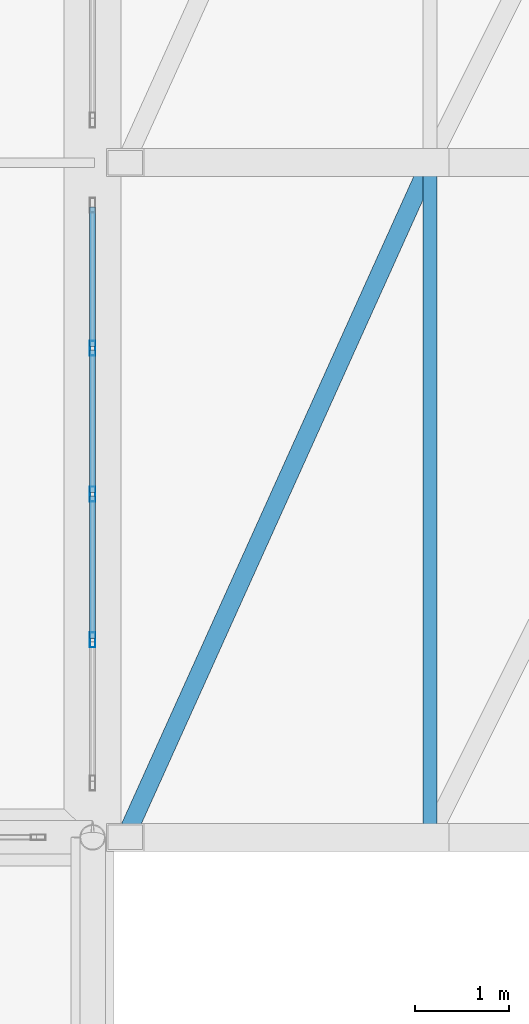
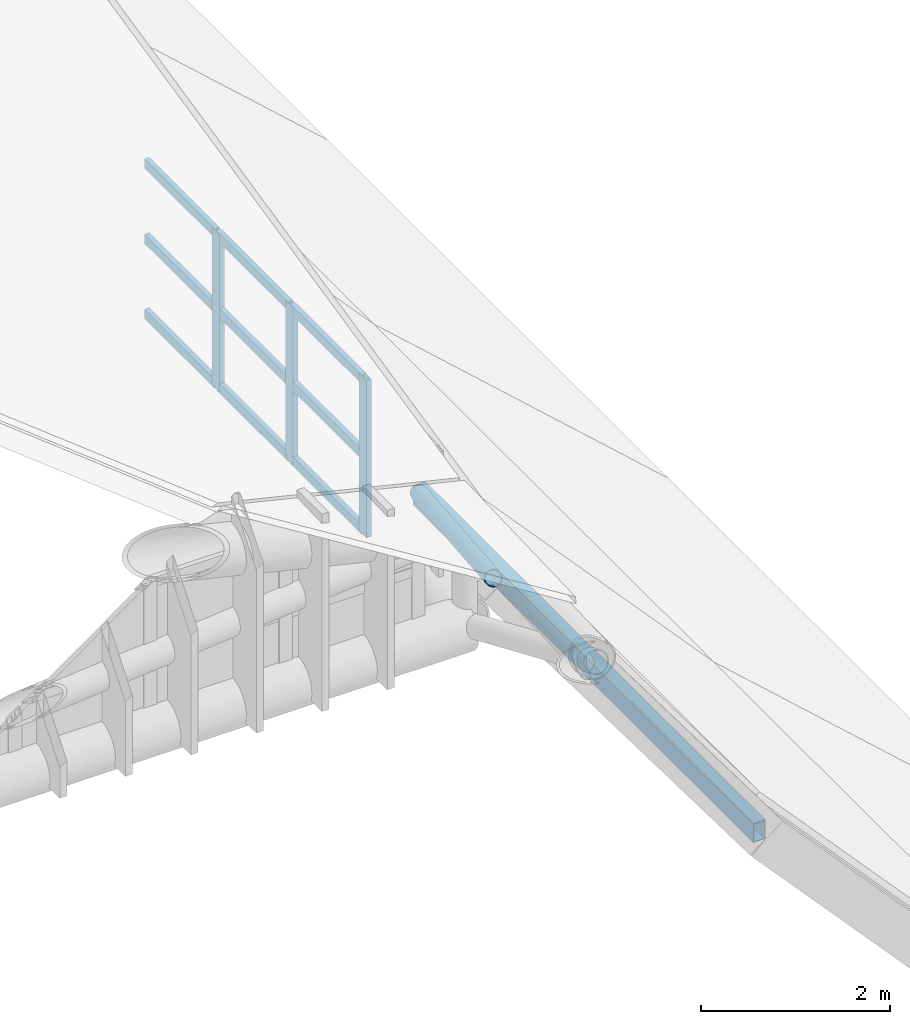
# One storey, part 126 of 397: 14 members, 1 element without a shape of its own.
"""IFC4 building model written with IfcOpenShell, lengths in metres."""

from ifc_helpers import new_model, si_unit, direction, frame, origin, origin_2d, place, context, subcontext, project, spatial, hollow_rectangle, hollow_circle, extrude, material, material_profile, profile_set, type_object, element, aggregate, save


model = new_model("IFC4")

# Units and contexts
model_context = context("Model", 3, precision=1e-05, world=origin(), true_north=direction((0.0, 1.0)))
body_context = subcontext(model_context, "Body", "Model", "MODEL_VIEW")
ifc_project = project(units=[si_unit("LENGTHUNIT", "METRE"), si_unit("AREAUNIT", "SQUARE_METRE"), si_unit("VOLUMEUNIT", "CUBIC_METRE"), si_unit("PLANEANGLEUNIT", "RADIAN"), si_unit("MASSUNIT", "GRAM", prefix="KILO")], contexts=[model_context])

# Site, building, storey
site_placement = place(None, origin())
site = spatial("IfcSite", under=ifc_project, at=site_placement, CompositionType="ELEMENT")
building_placement = place(site_placement, origin())
building = spatial("IfcBuilding", under=site, at=building_placement, Name="Qandorah Velis Arena", CompositionType="ELEMENT")
storey_placement = place(building_placement, frame((0.0, 0.0, 27.5)))
storey = spatial("IfcBuildingStorey", under=building, at=storey_placement, Name="RF", CompositionType="ELEMENT", Elevation=27.5)

# Curtain wall, members
ifc_material_1 = material(Name="Solar-control low-E double glazing", Category="glass")
curtain_wall_type = type_object("IfcCurtainWallType", Name="ARC-CW-SYS09", PredefinedType="USERDEFINED", material=ifc_material_1)
curtain_wall_placement = place(storey_placement, origin())
curtain_wall = element("IfcCurtainWall", 1, at=curtain_wall_placement, inside=storey, type_object=curtain_wall_type, Name="Unitised curtain wall CROWN-2-01S1", ObjectType="UNITISED CURTAIN WALL", PredefinedType="USERDEFINED")
ifc_material_2 = material(Name="Champagne-bronze anodized aluminium 6063-T6", Category="aluminium")
ifc_material_profile_1 = material_profile(ifc_material_2, hollow_rectangle(XDim=0.06005859375, YDim=0.159912109375, WallThickness=0.00341796875, at=origin_2d()), Name="ALU MULLION 60x160")
ifc_profile_set_1 = profile_set([ifc_material_profile_1], Name="Champagne-bronze anodized aluminium 6063-T6")
member_type_1 = type_object("IfcMemberType", Name="ARC-CWM-160", PredefinedType="MULLION", material=ifc_profile_set_1)
member_1_placement = place(storey_placement, frame((115.199951171875, 16.50634765625, -0.014892578125), z_axis=(0.0, 0.0, 1.0), x_axis=(-1.0, 0.0, 0.0)))
member_1 = element("IfcMember", 2, at=member_1_placement, type_object=member_type_1, Name="CW09 mullion 2", PredefinedType="MULLION", context=body_context, shape_type="SweptSolid", body=[
    extrude(hollow_rectangle(XDim=0.06005859375, YDim=0.159912109375, WallThickness=0.00341796875, at=origin_2d()), origin(), (0.0, 0.0, 1.0), 2.03271484375),
])
member_2_placement = place(storey_placement, frame((115.199951171875, 18.0625, -0.014892578125), z_axis=(0.0, 0.0, 1.0), x_axis=(-1.0, 0.0, 0.0)))
member_2 = element("IfcMember", 3, at=member_2_placement, type_object=member_type_1, Name="CW09 mullion 3", PredefinedType="MULLION", context=body_context, shape_type="SweptSolid", body=[
    extrude(hollow_rectangle(XDim=0.06005859375, YDim=0.159912109375, WallThickness=0.00341796875, at=origin_2d()), origin(), (0.0, 0.0, 1.0), 2.03271484375),
])
member_3_placement = place(storey_placement, frame((115.199951171875, 19.61865234375, -0.014892578125), z_axis=(0.0, 0.0, 1.0), x_axis=(-1.0, 0.0, 0.0)))
member_3 = element("IfcMember", 4, at=member_3_placement, type_object=member_type_1, Name="CW09 mullion 4", PredefinedType="MULLION", context=body_context, shape_type="SweptSolid", body=[
    extrude(hollow_rectangle(XDim=0.06005859375, YDim=0.159912109375, WallThickness=0.00341796875, at=origin_2d()), origin(), (0.0, 0.0, 1.0), 2.03271484375),
])
ifc_material_profile_2 = material_profile(ifc_material_2, hollow_rectangle(XDim=0.06005859375, YDim=0.1201171875, WallThickness=0.0029296875, at=origin_2d()), Name="ALU TRANSOM 60x120")
ifc_profile_set_2 = profile_set([ifc_material_profile_2], Name="Champagne-bronze anodized aluminium 6063-T6")
member_type_2 = type_object("IfcMemberType", Name="ARC-CWT-120", PredefinedType="USERDEFINED", material=ifc_profile_set_2)
member_4_placement = place(storey_placement, frame((115.199951171875, 16.524169921875, 0.030029296875), z_axis=(0.0, 1.0, 0.0), x_axis=(-1.0, 0.0, 0.0)))
member_4 = element("IfcMember", 5, at=member_4_placement, type_object=member_type_2, Name="CW09 transom 2.1", ObjectType="TRANSOM", PredefinedType="USERDEFINED", context=body_context, shape_type="SweptSolid", body=[
    extrude(hollow_rectangle(XDim=0.06005859375, YDim=0.1201171875, WallThickness=0.0029296875, at=origin_2d()), origin(), (0.0, 0.0, 1.0), 1.520263671875),
])
member_5_placement = place(storey_placement, frame((115.199951171875, 16.524169921875, 1.00146484375), z_axis=(0.0, 1.0, 0.0), x_axis=(-1.0, 0.0, 0.0)))
member_5 = element("IfcMember", 6, at=member_5_placement, type_object=member_type_2, Name="CW09 transom 2.2", ObjectType="TRANSOM", PredefinedType="USERDEFINED", context=body_context, shape_type="SweptSolid", body=[
    extrude(hollow_rectangle(XDim=0.06005859375, YDim=0.1201171875, WallThickness=0.0029296875, at=origin_2d()), origin(), (0.0, 0.0, 1.0), 1.520263671875),
])
member_6_placement = place(storey_placement, frame((115.199951171875, 16.524169921875, 1.972900390625), z_axis=(0.0, 1.0, 0.0), x_axis=(-1.0, 0.0, 0.0)))
member_6 = element("IfcMember", 7, at=member_6_placement, type_object=member_type_2, Name="CW09 transom 2.3", ObjectType="TRANSOM", PredefinedType="USERDEFINED", context=body_context, shape_type="SweptSolid", body=[
    extrude(hollow_rectangle(XDim=0.06005859375, YDim=0.1201171875, WallThickness=0.0029296875, at=origin_2d()), origin(), (0.0, 0.0, 1.0), 1.520263671875),
])
member_7_placement = place(storey_placement, frame((115.199951171875, 18.08056640625, 0.030029296875), z_axis=(0.0, 1.0, 0.0), x_axis=(-1.0, 0.0, 0.0)))
member_7 = element("IfcMember", 8, at=member_7_placement, type_object=member_type_2, Name="CW09 transom 3.1", ObjectType="TRANSOM", PredefinedType="USERDEFINED", context=body_context, shape_type="SweptSolid", body=[
    extrude(hollow_rectangle(XDim=0.06005859375, YDim=0.1201171875, WallThickness=0.0029296875, at=origin_2d()), origin(), (0.0, 0.0, 1.0), 1.520263671875),
])
member_8_placement = place(storey_placement, frame((115.199951171875, 18.08056640625, 1.00146484375), z_axis=(0.0, 1.0, 0.0), x_axis=(-1.0, 0.0, 0.0)))
member_8 = element("IfcMember", 9, at=member_8_placement, type_object=member_type_2, Name="CW09 transom 3.2", ObjectType="TRANSOM", PredefinedType="USERDEFINED", context=body_context, shape_type="SweptSolid", body=[
    extrude(hollow_rectangle(XDim=0.06005859375, YDim=0.1201171875, WallThickness=0.0029296875, at=origin_2d()), origin(), (0.0, 0.0, 1.0), 1.520263671875),
])
member_9_placement = place(storey_placement, frame((115.199951171875, 18.08056640625, 1.972900390625), z_axis=(0.0, 1.0, 0.0), x_axis=(-1.0, 0.0, 0.0)))
member_9 = element("IfcMember", 10, at=member_9_placement, type_object=member_type_2, Name="CW09 transom 3.3", ObjectType="TRANSOM", PredefinedType="USERDEFINED", context=body_context, shape_type="SweptSolid", body=[
    extrude(hollow_rectangle(XDim=0.06005859375, YDim=0.1201171875, WallThickness=0.0029296875, at=origin_2d()), origin(), (0.0, 0.0, 1.0), 1.520263671875),
])
member_10_placement = place(storey_placement, frame((115.199951171875, 19.63671875, 0.030029296875), z_axis=(0.0, 1.0, 0.0), x_axis=(-1.0, 0.0, 0.0)))
member_10 = element("IfcMember", 11, at=member_10_placement, type_object=member_type_2, Name="CW09 transom 4.1", ObjectType="TRANSOM", PredefinedType="USERDEFINED", context=body_context, shape_type="SweptSolid", body=[
    extrude(hollow_rectangle(XDim=0.06005859375, YDim=0.1201171875, WallThickness=0.0029296875, at=origin_2d()), origin(), (0.0, 0.0, 1.0), 1.490234375),
])
member_11_placement = place(storey_placement, frame((115.199951171875, 19.63671875, 1.00146484375), z_axis=(0.0, 1.0, 0.0), x_axis=(-1.0, 0.0, 0.0)))
member_11 = element("IfcMember", 12, at=member_11_placement, type_object=member_type_2, Name="CW09 transom 4.2", ObjectType="TRANSOM", PredefinedType="USERDEFINED", context=body_context, shape_type="SweptSolid", body=[
    extrude(hollow_rectangle(XDim=0.06005859375, YDim=0.1201171875, WallThickness=0.0029296875, at=origin_2d()), origin(), (0.0, 0.0, 1.0), 1.490234375),
])
member_12_placement = place(storey_placement, frame((115.199951171875, 19.63671875, 1.972900390625), z_axis=(0.0, 1.0, 0.0), x_axis=(-1.0, 0.0, 0.0)))
member_12 = element("IfcMember", 13, at=member_12_placement, type_object=member_type_2, Name="CW09 transom 4.3", ObjectType="TRANSOM", PredefinedType="USERDEFINED", context=body_context, shape_type="SweptSolid", body=[
    extrude(hollow_rectangle(XDim=0.06005859375, YDim=0.1201171875, WallThickness=0.0029296875, at=origin_2d()), origin(), (0.0, 0.0, 1.0), 1.490234375),
])
aggregate(curtain_wall, [member_1, member_2, member_3, member_4, member_5, member_6, member_7, member_8, member_9, member_10, member_11, member_12])

# Members
ifc_material_3 = material(Name="Steel S355", Category="steel")
ifc_material_profile_3 = material_profile(ifc_material_3, hollow_rectangle(XDim=0.14990234375, YDim=0.25, WallThickness=0.010009765625, at=origin_2d()), Name="RHS 250x150x10")
ifc_profile_set_3 = profile_set([ifc_material_profile_3], Name="Steel S355")
member_type_3 = type_object("IfcMemberType", Name="STR-PRL-RHS250", PredefinedType="PURLIN", material=ifc_profile_set_3)
member_13_placement = place(storey_placement, frame((118.800048828125, 14.39990234375, -3.84130859375), z_axis=(0.0, 1.0, 0.0), x_axis=(-1.0, 0.0, 0.0)))
element("IfcMember", 14, at=member_13_placement, inside=storey, type_object=member_type_3, Name="Canopy cross purlin CPR-1.01", PredefinedType="PURLIN", context=body_context, shape_type="SweptSolid", body=[
    extrude(hollow_rectangle(XDim=0.14990234375, YDim=0.25, WallThickness=0.010009765625, at=origin_2d()), origin(), (0.0, 0.0, 1.0), 7.2001953125),
])
ifc_material_profile_4 = material_profile(ifc_material_3, hollow_circle(Radius=0.096923828125, WallThickness=0.010009765625, at=origin_2d()), Name="CHS 193.7x10")
ifc_profile_set_4 = profile_set([ifc_material_profile_4], Name="Steel S355")
member_type_4 = type_object("IfcMemberType", Name="STR-SFD-CHS193X10", PredefinedType="STRUT", material=ifc_profile_set_4)
member_14_placement = place(storey_placement, frame((115.550048828125, 14.39990234375, 0.562744140625), z_axis=(0.359338766825, 0.796095170612, -0.486937501108), x_axis=(-0.911451357244, 0.41140785527, 0.0)))
element("IfcMember", 15, at=member_14_placement, inside=storey, type_object=member_type_4, Name="Canopy roof plane diagonal CDG-1.01", PredefinedType="STRUT", context=body_context, shape_type="SweptSolid", body=[
    extrude(hollow_circle(Radius=0.096923828125, WallThickness=0.010009765625, at=origin_2d()), origin(), (0.0, 0.0, 1.0), 9.04443359375),
])

save(model, "model.ifc")
